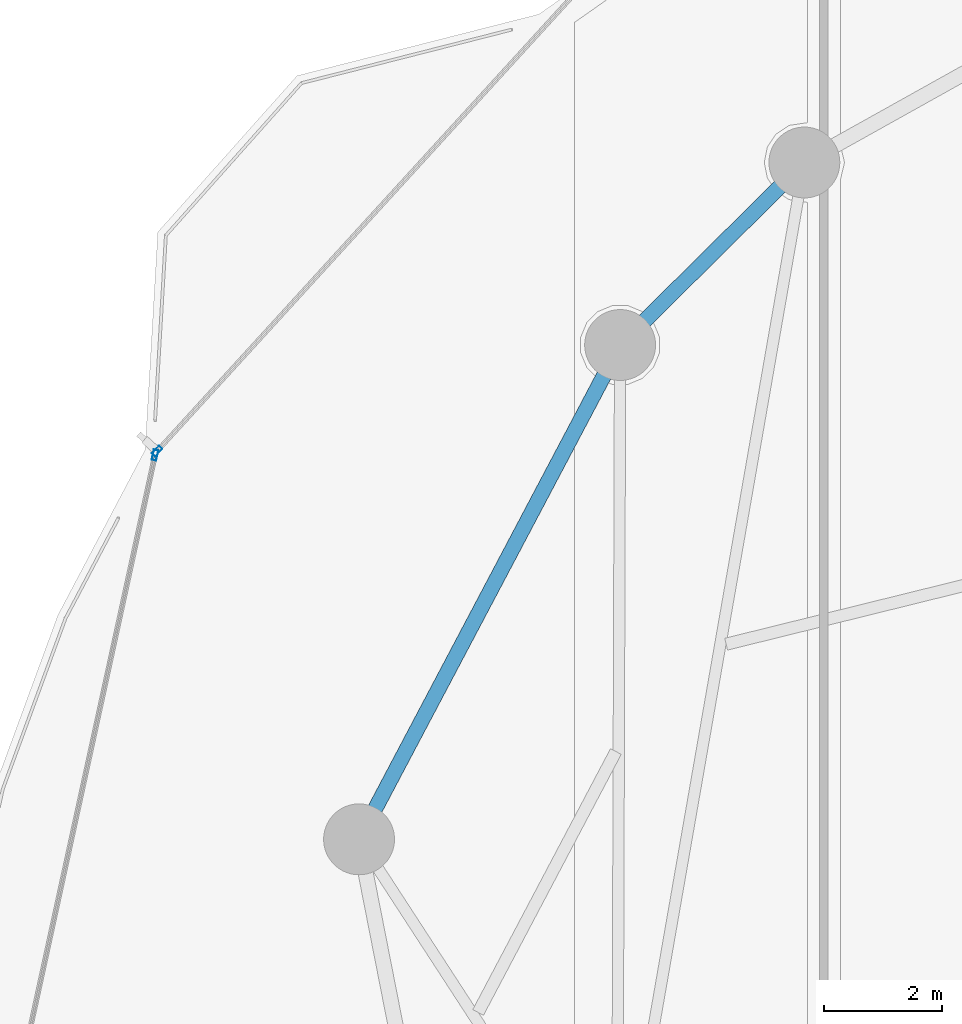
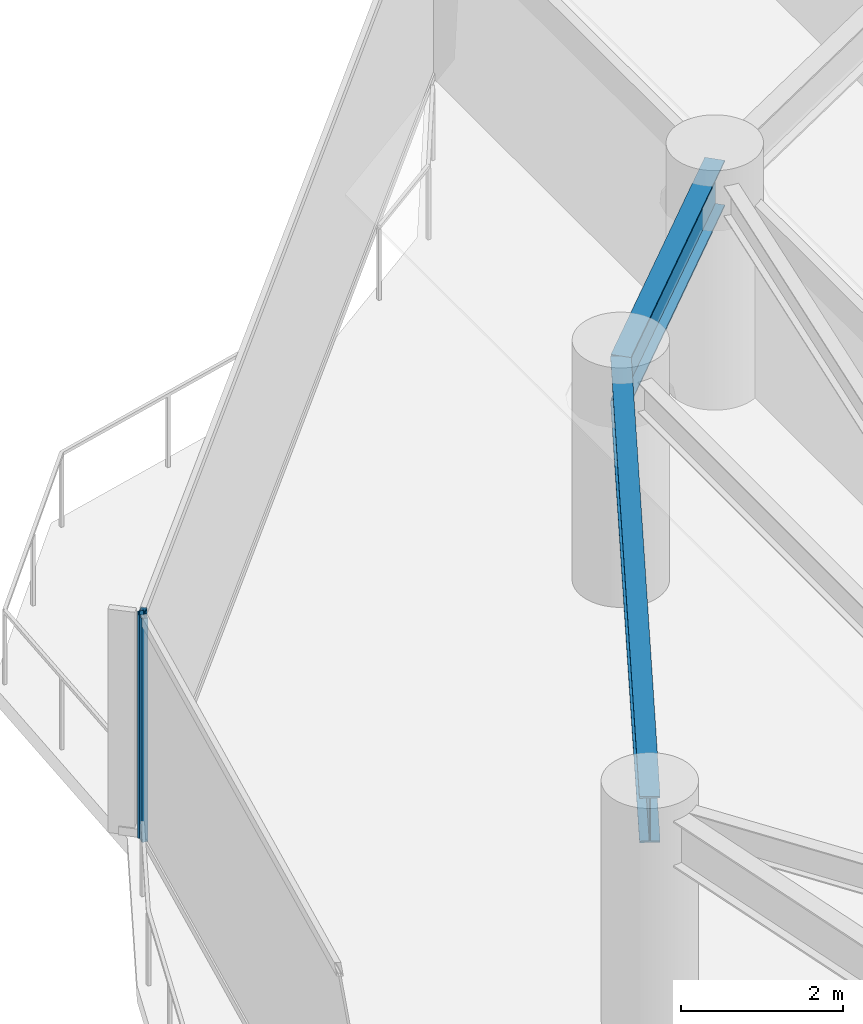
# One storey, part 17 of 34: 2 beams, 2 members, 2 elements without a shape of their own.
"""IFC4 building model written with IfcOpenShell, lengths in metres."""

from ifc_helpers import new_model, si_unit, direction, frame, origin, origin_2d, place, context, subcontext, project, spatial, hollow_rectangle, i_section, extrude, material, layer, layer_set, material_profile, profile_set, type_object, element, aggregate, save


model = new_model("IFC4")

# Units and contexts
model_context = context("Model", 3, precision=1e-05, world=origin(), true_north=direction((0.0, 1.0)))
body_context = subcontext(model_context, "Body", "Model", "MODEL_VIEW")
ifc_project = project(units=[si_unit("LENGTHUNIT", "METRE"), si_unit("AREAUNIT", "SQUARE_METRE"), si_unit("VOLUMEUNIT", "CUBIC_METRE"), si_unit("PLANEANGLEUNIT", "RADIAN"), si_unit("MASSUNIT", "GRAM", prefix="KILO")], contexts=[model_context])

# Site, building, storey
site_placement = place(None, origin())
site = spatial("IfcSite", under=ifc_project, at=site_placement, CompositionType="ELEMENT")
building_placement = place(site_placement, origin())
building = spatial("IfcBuilding", under=site, at=building_placement, Name="Kazevale Care Tower and Concert Hall", CompositionType="ELEMENT")
storey_placement = place(building_placement, frame((0.0, 0.0, 171.0)))
storey = spatial("IfcBuildingStorey", under=building, at=storey_placement, Name="L45", CompositionType="ELEMENT", Elevation=171.0)

# Curtain wall, member
ifc_material_1 = material(Name="Aluminium 6063-T6 and Low-E Glass", Category="aluminium")
ifc_layer_1 = layer(ifc_material_1, 0.179931640625)
ifc_layer_set_1 = layer_set([ifc_layer_1], Name="Aluminium 6063-T6 and Low-E Glass")
curtain_wall_type_1 = type_object("IfcCurtainWallType", Name="Convex Checkerboard Finned Curtain Wall CW-2", PredefinedType="NOTDEFINED", material=ifc_layer_set_1)
curtain_wall_1_placement = place(storey_placement, origin())
curtain_wall_1 = element("IfcCurtainWall", 1, at=curtain_wall_1_placement, inside=storey, type_object=curtain_wall_type_1, Name="cw:L45:f14", PredefinedType="NOTDEFINED")
ifc_material_2 = material(Name="Aluminium 6063-T6", Category="aluminium")
ifc_material_profile_1 = material_profile(ifc_material_2, hollow_rectangle(XDim=0.080078125, YDim=0.179931640625, WallThickness=0.0048828125, at=origin_2d()), Name="ALU80x180x5")
ifc_profile_set_1 = profile_set([ifc_material_profile_1], Name="Aluminium 6063-T6")
member_type_1 = type_object("IfcMemberType", Name="CW-2 Mullion ALU80x180x5", PredefinedType="MULLION", material=ifc_profile_set_1)
member_1_placement = place(storey_placement, frame((14.2109375, 49.694580078125, 0.0), z_axis=(0.0, 0.0, 1.0), x_axis=(-0.738491785899, 0.674262472751, 0.0)))
member_1 = element("IfcMember", 2, at=member_1_placement, type_object=member_type_1, Name="CW-2 mullion 1", PredefinedType="MULLION", context=body_context, shape_type="SweptSolid", body=[
    extrude(hollow_rectangle(XDim=0.080078125, YDim=0.179931640625, WallThickness=0.0048828125, at=origin_2d()), origin(), (0.0, 0.0, 1.0), 3.360107421875),
])
aggregate(curtain_wall_1, [member_1])

ifc_layer_2 = layer(ifc_material_1, 0.179931640625)
ifc_layer_set_2 = layer_set([ifc_layer_2], Name="Aluminium 6063-T6 and Low-E Glass")
curtain_wall_type_2 = type_object("IfcCurtainWallType", Name="Waist & Upper Residential Curtain Wall CW-4", PredefinedType="NOTDEFINED", material=ifc_layer_set_2)
curtain_wall_2_placement = place(storey_placement, origin())
curtain_wall_2 = element("IfcCurtainWall", 3, at=curtain_wall_2_placement, inside=storey, type_object=curtain_wall_type_2, Name="cw:L45:f13", PredefinedType="NOTDEFINED")
ifc_material_profile_2 = material_profile(ifc_material_2, hollow_rectangle(XDim=0.080078125, YDim=0.179931640625, WallThickness=0.0048828125, at=origin_2d()), Name="ALU80x180x5")
ifc_profile_set_2 = profile_set([ifc_material_profile_2], Name="Aluminium 6063-T6")
member_type_2 = type_object("IfcMemberType", Name="CW-4 Mullion ALU80x180x5", PredefinedType="MULLION", material=ifc_profile_set_2)
member_2_placement = place(storey_placement, frame((14.175537109375, 49.6259765625, 0.0), z_axis=(0.0, 0.0, 1.0), x_axis=(-0.977090755849, 0.21282305992, 0.0)))
member_2 = element("IfcMember", 4, at=member_2_placement, type_object=member_type_2, Name="CW-4 mullion 2", PredefinedType="MULLION", context=body_context, shape_type="SweptSolid", body=[
    extrude(hollow_rectangle(XDim=0.080078125, YDim=0.179931640625, WallThickness=0.0048828125, at=origin_2d()), origin(), (0.0, 0.0, 1.0), 3.360107421875),
])
aggregate(curtain_wall_2, [member_2])

# Beams
ifc_material_3 = material(Name="Steel ASTM A572 Gr 50", Category="steel")
ifc_material_profile_3 = material_profile(ifc_material_3, i_section(OverallWidth=0.256103515625, OverallDepth=0.693115234375, WebThickness=0.014404296875, FlangeThickness=0.023681640625, at=origin_2d()), Name="W690x170")
ifc_profile_set_3 = profile_set([ifc_material_profile_3], Name="Steel ASTM A572 Gr 50")
beam_type = type_object("IfcBeamType", Name="Waist Ring Beam W690x170", PredefinedType="BEAM", material=ifc_profile_set_3)
beam_1_placement = place(storey_placement, frame((25.169921875, 54.580078125, 3.013427734375), z_axis=(-0.710490141585, -0.703707154085, 0.0), x_axis=(0.703707154085, -0.710490141585, 0.0)))
element("IfcBeam", 5, at=beam_1_placement, inside=storey, type_object=beam_type, Name="beam:L45:ring:07", PredefinedType="BEAM", context=body_context, shape_type="SweptSolid", body=[
    extrude(i_section(OverallWidth=0.256103515625, OverallDepth=0.693115234375, WebThickness=0.014404296875, FlangeThickness=0.023681640625, at=origin_2d()), origin(), (0.0, 0.0, 1.0), 4.39111328125),
])
beam_2_placement = place(storey_placement, frame((22.050048828125, 51.489990234375, 3.013427734375), z_axis=(-0.466984438127, -0.884265533959, 0.0), x_axis=(0.884265533959, -0.466984438127, 0.0)))
element("IfcBeam", 6, at=beam_2_placement, inside=storey, type_object=beam_type, Name="beam:L45:ring:08", PredefinedType="BEAM", context=body_context, shape_type="SweptSolid", body=[
    extrude(i_section(OverallWidth=0.256103515625, OverallDepth=0.693115234375, WebThickness=0.014404296875, FlangeThickness=0.023681640625, at=origin_2d()), origin(), (0.0, 0.0, 1.0), 9.46533203125),
])

save(model, "model.ifc")
